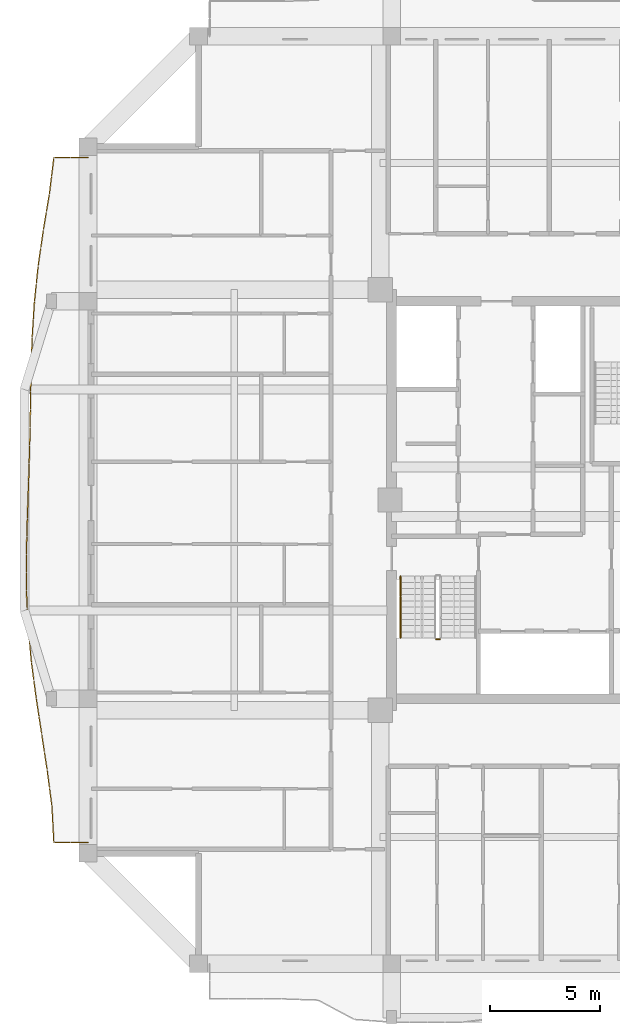
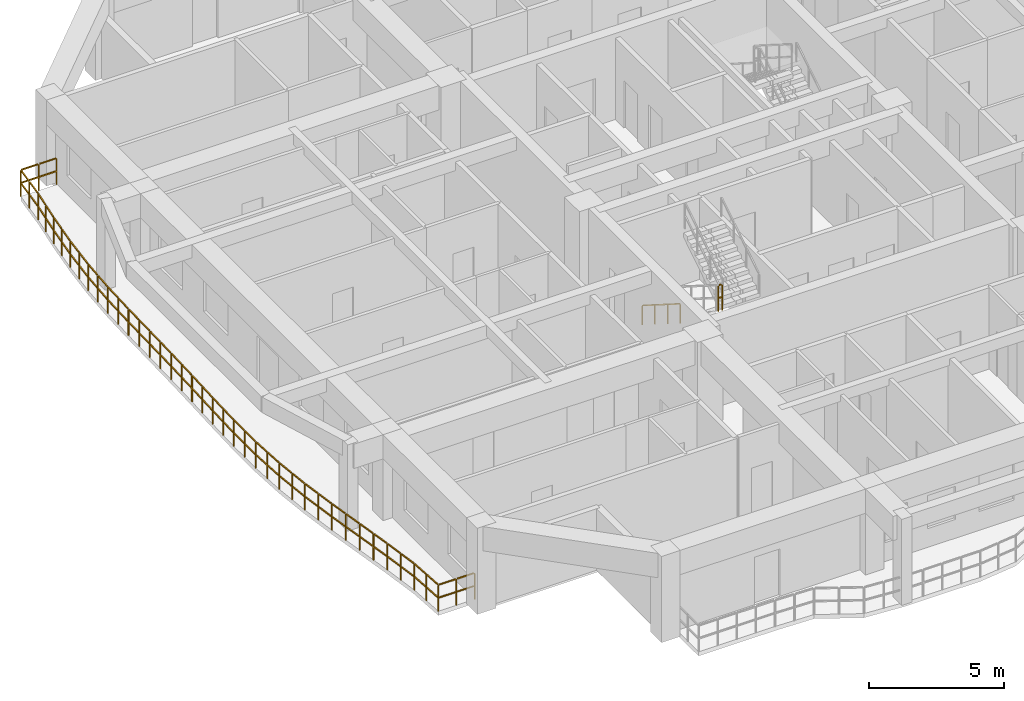
# One storey, part 11 of 14: 3 railings.
"""IFC4 building model written with IfcOpenShell, lengths in metres."""

from ifc_helpers import new_model, si_unit, direction, frame, origin, origin_2d, place, context, subcontext, project, spatial, rectangle, extrude, material, type_object, element, save


model = new_model("IFC4")

# Units and contexts
model_context = context("Model", 3, precision=1e-05, world=origin(), true_north=direction((0.0, 1.0)))
body_context = subcontext(model_context, "Body", "Model", "MODEL_VIEW")
ifc_project = project(units=[si_unit("LENGTHUNIT", "METRE"), si_unit("AREAUNIT", "SQUARE_METRE"), si_unit("VOLUMEUNIT", "CUBIC_METRE"), si_unit("PLANEANGLEUNIT", "RADIAN"), si_unit("MASSUNIT", "GRAM", prefix="KILO")], contexts=[model_context])

# Site, building, storey
site_placement = place(None, origin())
site = spatial("IfcSite", under=ifc_project, at=site_placement, CompositionType="ELEMENT")
building_placement = place(site_placement, origin())
building = spatial("IfcBuilding", under=site, at=building_placement, Name="Saelheon Loggia Tower", CompositionType="ELEMENT")
storey_placement = place(building_placement, frame((0.0, 0.0, 182.800048828125)))
storey = spatial("IfcBuildingStorey", under=building, at=storey_placement, Name="L57", CompositionType="ELEMENT", Elevation=182.800048828125)

# Railings
ifc_material_1 = material(Name="Architectural Precast Concrete and Laminated Glass Guard", Category="concrete")
railing_type_1 = type_object("IfcRailingType", Name="Guard_Loggia_RL_LOG", PredefinedType="BALUSTRADE", material=ifc_material_1)
railing_1_placement = place(storey_placement, frame((17.75, 42.5, 0.0)))
element("IfcRailing", 1, at=railing_1_placement, inside=storey, type_object=railing_type_1, Name="L57 West Loggia Balustrade", PredefinedType="BALUSTRADE", context=body_context, shape_type="SweptSolid", body=[
    extrude(rectangle(XDim=0.048095703125, YDim=0.048095703125, at=origin_2d()), frame((-0.033203125, 0.0, 1.19580078125), z_axis=(-1.0, 0.0, 0.0), x_axis=(0.0, -1.0, 0.0)), (0.0, 0.0, 1.0), 0.70849609375),
    extrude(rectangle(XDim=0.048095703125, YDim=0.048095703125, at=origin_2d()), frame((-0.033203125, 0.0, 0.60986328125), z_axis=(-1.0, 0.0, 0.0), x_axis=(0.0, -1.0, 0.0)), (0.0, 0.0, 1.0), 0.70849609375),
    extrude(rectangle(XDim=0.048095703125, YDim=0.048095703125, at=origin_2d()), frame((-0.808349609375, 0.0, 1.19580078125), z_axis=(-1.0, 0.0, 0.0), x_axis=(0.0, -1.0, 0.0)), (0.0, 0.0, 1.0), 0.70849609375),
    extrude(rectangle(XDim=0.048095703125, YDim=0.048095703125, at=origin_2d()), frame((-0.808349609375, 0.0, 0.60986328125), z_axis=(-1.0, 0.0, 0.0), x_axis=(0.0, -1.0, 0.0)), (0.0, 0.0, 1.0), 0.70849609375),
    extrude(rectangle(XDim=0.048095703125, YDim=0.048095703125, at=origin_2d()), frame((-1.55419921875, -0.032958984375, 1.19580078125), z_axis=(-0.121639737456, -0.99257431675, 0.0), x_axis=(0.99257431675, -0.121639737456, 0.0)), (0.0, 0.0, 1.0), 0.75537109375),
    extrude(rectangle(XDim=0.048095703125, YDim=0.048095703125, at=origin_2d()), frame((-1.55419921875, -0.032958984375, 0.60986328125), z_axis=(-0.121639737456, -0.99257431675, 0.0), x_axis=(0.99257431675, -0.121639737456, 0.0)), (0.0, 0.0, 1.0), 0.75537109375),
    extrude(rectangle(XDim=0.048095703125, YDim=0.048095703125, at=origin_2d()), frame((-1.654052734375, -0.848876953125, 1.19580078125), z_axis=(-0.121639737456, -0.99257431675, 0.0), x_axis=(0.99257431675, -0.121639737456, 0.0)), (0.0, 0.0, 1.0), 0.75537109375),
    extrude(rectangle(XDim=0.048095703125, YDim=0.048095703125, at=origin_2d()), frame((-1.654052734375, -0.848876953125, 0.60986328125), z_axis=(-0.121639737456, -0.99257431675, 0.0), x_axis=(0.99257431675, -0.121639737456, 0.0)), (0.0, 0.0, 1.0), 0.75537109375),
    extrude(rectangle(XDim=0.048095703125, YDim=0.048095703125, at=origin_2d()), frame((-1.755615234375, -1.664306640625, 1.19580078125), z_axis=(-0.166001960269, -0.986125422645, 0.0), x_axis=(0.986125422645, -0.166001960269, 0.0)), (0.0, 0.0, 1.0), 0.7607421875),
    extrude(rectangle(XDim=0.048095703125, YDim=0.048095703125, at=origin_2d()), frame((-1.755615234375, -1.664306640625, 0.60986328125), z_axis=(-0.166001960269, -0.986125422645, 0.0), x_axis=(0.986125422645, -0.166001960269, 0.0)), (0.0, 0.0, 1.0), 0.7607421875),
    extrude(rectangle(XDim=0.048095703125, YDim=0.048095703125, at=origin_2d()), frame((-1.892822265625, -2.480224609375, 1.19580078125), z_axis=(-0.166001960269, -0.986125422645, 0.0), x_axis=(0.986125422645, -0.166001960269, 0.0)), (0.0, 0.0, 1.0), 0.7607421875),
    extrude(rectangle(XDim=0.048095703125, YDim=0.048095703125, at=origin_2d()), frame((-1.892822265625, -2.480224609375, 0.60986328125), z_axis=(-0.166001960269, -0.986125422645, 0.0), x_axis=(0.986125422645, -0.166001960269, 0.0)), (0.0, 0.0, 1.0), 0.7607421875),
    extrude(rectangle(XDim=0.048095703125, YDim=0.048095703125, at=origin_2d()), frame((-2.029296875, -3.296142578125, 1.19580078125), z_axis=(-0.142478758225, -0.989797859896, 0.0), x_axis=(0.989797859896, -0.142478758225, 0.0)), (0.0, 0.0, 1.0), 0.7578125),
    extrude(rectangle(XDim=0.048095703125, YDim=0.048095703125, at=origin_2d()), frame((-2.029296875, -3.296142578125, 0.60986328125), z_axis=(-0.142478758225, -0.989797859896, 0.0), x_axis=(0.989797859896, -0.142478758225, 0.0)), (0.0, 0.0, 1.0), 0.7578125),
    extrude(rectangle(XDim=0.048095703125, YDim=0.048095703125, at=origin_2d()), frame((-2.146728515625, -4.11181640625, 1.19580078125), z_axis=(-0.142478758225, -0.989797859896, 0.0), x_axis=(0.989797859896, -0.142478758225, 0.0)), (0.0, 0.0, 1.0), 0.7578125),
    extrude(rectangle(XDim=0.048095703125, YDim=0.048095703125, at=origin_2d()), frame((-2.146728515625, -4.11181640625, 0.60986328125), z_axis=(-0.142478758225, -0.989797859896, 0.0), x_axis=(0.989797859896, -0.142478758225, 0.0)), (0.0, 0.0, 1.0), 0.7578125),
    extrude(rectangle(XDim=0.048095703125, YDim=0.048095703125, at=origin_2d()), frame((-2.262939453125, -4.927734375, 1.19580078125), z_axis=(-0.104173484774, -0.994559141062, 0.0), x_axis=(0.994559141062, -0.104173484774, 0.0)), (0.0, 0.0, 1.0), 0.75390625),
    extrude(rectangle(XDim=0.048095703125, YDim=0.048095703125, at=origin_2d()), frame((-2.262939453125, -4.927734375, 0.60986328125), z_axis=(-0.104173484774, -0.994559141062, 0.0), x_axis=(0.994559141062, -0.104173484774, 0.0)), (0.0, 0.0, 1.0), 0.75390625),
    extrude(rectangle(XDim=0.048095703125, YDim=0.048095703125, at=origin_2d()), frame((-2.348388671875, -5.74365234375, 1.19580078125), z_axis=(-0.104173484774, -0.994559141062, 0.0), x_axis=(0.994559141062, -0.104173484774, 0.0)), (0.0, 0.0, 1.0), 0.75390625),
    extrude(rectangle(XDim=0.048095703125, YDim=0.048095703125, at=origin_2d()), frame((-2.348388671875, -5.74365234375, 0.60986328125), z_axis=(-0.104173484774, -0.994559141062, 0.0), x_axis=(0.994559141062, -0.104173484774, 0.0)), (0.0, 0.0, 1.0), 0.75390625),
    extrude(rectangle(XDim=0.048095703125, YDim=0.048095703125, at=origin_2d()), frame((-2.4326171875, -6.5595703125, 1.19580078125), z_axis=(-0.063019778754, -0.998012278224, 0.0), x_axis=(0.998012278224, -0.063019778754, 0.0)), (0.0, 0.0, 1.0), 0.7509765625),
    extrude(rectangle(XDim=0.048095703125, YDim=0.048095703125, at=origin_2d()), frame((-2.4326171875, -6.5595703125, 0.60986328125), z_axis=(-0.063019778754, -0.998012278224, 0.0), x_axis=(0.998012278224, -0.063019778754, 0.0)), (0.0, 0.0, 1.0), 0.7509765625),
    extrude(rectangle(XDim=0.048095703125, YDim=0.048095703125, at=origin_2d()), frame((-2.484130859375, -7.375244140625, 1.19580078125), z_axis=(-0.063019778754, -0.998012278224, 0.0), x_axis=(0.998012278224, -0.063019778754, 0.0)), (0.0, 0.0, 1.0), 0.7509765625),
    extrude(rectangle(XDim=0.048095703125, YDim=0.048095703125, at=origin_2d()), frame((-2.484130859375, -7.375244140625, 0.60986328125), z_axis=(-0.063019778754, -0.998012278224, 0.0), x_axis=(0.998012278224, -0.063019778754, 0.0)), (0.0, 0.0, 1.0), 0.7509765625),
    extrude(rectangle(XDim=0.048095703125, YDim=0.048095703125, at=origin_2d()), frame((-2.534423828125, -8.191162109375, 1.19580078125), z_axis=(-0.031556922457, -0.999501956299, 0.0), x_axis=(0.999501956299, -0.031556922457, 0.0)), (0.0, 0.0, 1.0), 0.749755859375),
    extrude(rectangle(XDim=0.048095703125, YDim=0.048095703125, at=origin_2d()), frame((-2.534423828125, -8.191162109375, 0.60986328125), z_axis=(-0.031556922457, -0.999501956299, 0.0), x_axis=(0.999501956299, -0.031556922457, 0.0)), (0.0, 0.0, 1.0), 0.749755859375),
    extrude(rectangle(XDim=0.048095703125, YDim=0.048095703125, at=origin_2d()), frame((-2.560302734375, -9.007080078125, 1.19580078125), z_axis=(-0.031556922457, -0.999501956299, 0.0), x_axis=(0.999501956299, -0.031556922457, 0.0)), (0.0, 0.0, 1.0), 0.749755859375),
    extrude(rectangle(XDim=0.048095703125, YDim=0.048095703125, at=origin_2d()), frame((-2.560302734375, -9.007080078125, 0.60986328125), z_axis=(-0.031556922457, -0.999501956299, 0.0), x_axis=(0.999501956299, -0.031556922457, 0.0)), (0.0, 0.0, 1.0), 0.749755859375),
    extrude(rectangle(XDim=0.048095703125, YDim=0.048095703125, at=origin_2d()), frame((-2.58544921875, -9.82275390625, 1.19580078125), z_axis=(-0.016906157432, -0.999857080707, 0.0), x_axis=(0.999857080707, -0.016906157432, 0.0)), (0.0, 0.0, 1.0), 0.74951171875),
    extrude(rectangle(XDim=0.048095703125, YDim=0.048095703125, at=origin_2d()), frame((-2.58544921875, -9.82275390625, 0.60986328125), z_axis=(-0.016906157432, -0.999857080707, 0.0), x_axis=(0.999857080707, -0.016906157432, 0.0)), (0.0, 0.0, 1.0), 0.74951171875),
    extrude(rectangle(XDim=0.048095703125, YDim=0.048095703125, at=origin_2d()), frame((-2.599365234375, -10.638671875, 1.19580078125), z_axis=(-0.016906157432, -0.999857080707, 0.0), x_axis=(0.999857080707, -0.016906157432, 0.0)), (0.0, 0.0, 1.0), 0.74951171875),
    extrude(rectangle(XDim=0.048095703125, YDim=0.048095703125, at=origin_2d()), frame((-2.599365234375, -10.638671875, 0.60986328125), z_axis=(-0.016906157432, -0.999857080707, 0.0), x_axis=(0.999857080707, -0.016906157432, 0.0)), (0.0, 0.0, 1.0), 0.74951171875),
    extrude(rectangle(XDim=0.048095703125, YDim=0.048095703125, at=origin_2d()), frame((-2.61328125, -11.454345703125, 1.19580078125), z_axis=(-0.018853278196, -0.999822261155, 0.0), x_axis=(0.999822261155, -0.018853278196, 0.0)), (0.0, 0.0, 1.0), 0.749267578125),
    extrude(rectangle(XDim=0.048095703125, YDim=0.048095703125, at=origin_2d()), frame((-2.61328125, -11.454345703125, 0.60986328125), z_axis=(-0.018853278196, -0.999822261155, 0.0), x_axis=(0.999822261155, -0.018853278196, 0.0)), (0.0, 0.0, 1.0), 0.749267578125),
    extrude(rectangle(XDim=0.048095703125, YDim=0.048095703125, at=origin_2d()), frame((-2.628662109375, -12.27001953125, 1.19580078125), z_axis=(-0.018853278196, -0.999822261155, 0.0), x_axis=(0.999822261155, -0.018853278196, 0.0)), (0.0, 0.0, 1.0), 0.749267578125),
    extrude(rectangle(XDim=0.048095703125, YDim=0.048095703125, at=origin_2d()), frame((-2.628662109375, -12.27001953125, 0.60986328125), z_axis=(-0.018853278196, -0.999822261155, 0.0), x_axis=(0.999822261155, -0.018853278196, 0.0)), (0.0, 0.0, 1.0), 0.749267578125),
    extrude(rectangle(XDim=0.048095703125, YDim=0.048095703125, at=origin_2d()), frame((-2.644287109375, -13.085693359375, 1.19580078125), z_axis=(-0.028717763208, -0.999587559985, 0.0), x_axis=(0.999587559985, -0.028717763208, 0.0)), (0.0, 0.0, 1.0), 0.749755859375),
    extrude(rectangle(XDim=0.048095703125, YDim=0.048095703125, at=origin_2d()), frame((-2.644287109375, -13.085693359375, 0.60986328125), z_axis=(-0.028717763208, -0.999587559985, 0.0), x_axis=(0.999587559985, -0.028717763208, 0.0)), (0.0, 0.0, 1.0), 0.749755859375),
    extrude(rectangle(XDim=0.048095703125, YDim=0.048095703125, at=origin_2d()), frame((-2.667724609375, -13.901611328125, 1.19580078125), z_axis=(-0.028717763208, -0.999587559985, 0.0), x_axis=(0.999587559985, -0.028717763208, 0.0)), (0.0, 0.0, 1.0), 0.749755859375),
    extrude(rectangle(XDim=0.048095703125, YDim=0.048095703125, at=origin_2d()), frame((-2.667724609375, -13.901611328125, 0.60986328125), z_axis=(-0.028717763208, -0.999587559985, 0.0), x_axis=(0.999587559985, -0.028717763208, 0.0)), (0.0, 0.0, 1.0), 0.749755859375),
    extrude(rectangle(XDim=0.048095703125, YDim=0.048095703125, at=origin_2d()), frame((-2.69140625, -14.71728515625, 1.19580078125), z_axis=(-0.034987542363, -0.999387748514, 0.0), x_axis=(0.999387748514, -0.034987542363, 0.0)), (0.0, 0.0, 1.0), 0.75),
    extrude(rectangle(XDim=0.048095703125, YDim=0.048095703125, at=origin_2d()), frame((-2.69140625, -14.71728515625, 0.60986328125), z_axis=(-0.034987542363, -0.999387748514, 0.0), x_axis=(0.999387748514, -0.034987542363, 0.0)), (0.0, 0.0, 1.0), 0.75),
    extrude(rectangle(XDim=0.048095703125, YDim=0.048095703125, at=origin_2d()), frame((-2.719970703125, -15.533203125, 1.19580078125), z_axis=(-0.034987542363, -0.999387748514, 0.0), x_axis=(0.999387748514, -0.034987542363, 0.0)), (0.0, 0.0, 1.0), 0.75),
    extrude(rectangle(XDim=0.048095703125, YDim=0.048095703125, at=origin_2d()), frame((-2.719970703125, -15.533203125, 0.60986328125), z_axis=(-0.034987542363, -0.999387748514, 0.0), x_axis=(0.999387748514, -0.034987542363, 0.0)), (0.0, 0.0, 1.0), 0.75),
    extrude(rectangle(XDim=0.048095703125, YDim=0.048095703125, at=origin_2d()), frame((-2.748291015625, -16.34912109375, 1.19580078125), z_axis=(-0.026326350244, -0.999653401576, 0.0), x_axis=(0.999653401576, -0.026326350244, 0.0)), (0.0, 0.0, 1.0), 0.74951171875),
    extrude(rectangle(XDim=0.048095703125, YDim=0.048095703125, at=origin_2d()), frame((-2.748291015625, -16.34912109375, 0.60986328125), z_axis=(-0.026326350244, -0.999653401576, 0.0), x_axis=(0.999653401576, -0.026326350244, 0.0)), (0.0, 0.0, 1.0), 0.74951171875),
    extrude(rectangle(XDim=0.048095703125, YDim=0.048095703125, at=origin_2d()), frame((-2.769775390625, -17.1650390625, 1.19580078125), z_axis=(-0.026326350244, -0.999653401576, 0.0), x_axis=(0.999653401576, -0.026326350244, 0.0)), (0.0, 0.0, 1.0), 0.74951171875),
    extrude(rectangle(XDim=0.048095703125, YDim=0.048095703125, at=origin_2d()), frame((-2.769775390625, -17.1650390625, 0.60986328125), z_axis=(-0.026326350244, -0.999653401576, 0.0), x_axis=(0.999653401576, -0.026326350244, 0.0)), (0.0, 0.0, 1.0), 0.74951171875),
    extrude(rectangle(XDim=0.048095703125, YDim=0.048095703125, at=origin_2d()), frame((-2.790283203125, -17.980712890625, 1.19580078125), z_axis=(0.001047589967, -0.999999451277, 0.0), x_axis=(0.999999451277, 0.001047589967, 0.0)), (0.0, 0.0, 1.0), 0.749267578125),
    extrude(rectangle(XDim=0.048095703125, YDim=0.048095703125, at=origin_2d()), frame((-2.790283203125, -17.980712890625, 0.60986328125), z_axis=(0.001047589967, -0.999999451277, 0.0), x_axis=(0.999999451277, 0.001047589967, 0.0)), (0.0, 0.0, 1.0), 0.749267578125),
    extrude(rectangle(XDim=0.048095703125, YDim=0.048095703125, at=origin_2d()), frame((-2.789306640625, -18.79638671875, 1.19580078125), z_axis=(0.001047589967, -0.999999451277, 0.0), x_axis=(0.999999451277, 0.001047589967, 0.0)), (0.0, 0.0, 1.0), 0.749267578125),
    extrude(rectangle(XDim=0.048095703125, YDim=0.048095703125, at=origin_2d()), frame((-2.789306640625, -18.79638671875, 0.60986328125), z_axis=(0.001047589967, -0.999999451277, 0.0), x_axis=(0.999999451277, 0.001047589967, 0.0)), (0.0, 0.0, 1.0), 0.749267578125),
    extrude(rectangle(XDim=0.048095703125, YDim=0.048095703125, at=origin_2d()), frame((-2.787109375, -19.612060546875, 1.19580078125), z_axis=(0.04424810558, -0.999020572938, 0.0), x_axis=(0.999020572938, 0.04424810558, 0.0)), (0.0, 0.0, 1.0), 0.750244140625),
    extrude(rectangle(XDim=0.048095703125, YDim=0.048095703125, at=origin_2d()), frame((-2.787109375, -19.612060546875, 0.60986328125), z_axis=(0.04424810558, -0.999020572938, 0.0), x_axis=(0.999020572938, 0.04424810558, 0.0)), (0.0, 0.0, 1.0), 0.750244140625),
    extrude(rectangle(XDim=0.048095703125, YDim=0.048095703125, at=origin_2d()), frame((-2.7509765625, -20.427734375, 1.19580078125), z_axis=(0.04424810558, -0.999020572938, 0.0), x_axis=(0.999020572938, 0.04424810558, 0.0)), (0.0, 0.0, 1.0), 0.750244140625),
    extrude(rectangle(XDim=0.048095703125, YDim=0.048095703125, at=origin_2d()), frame((-2.7509765625, -20.427734375, 0.60986328125), z_axis=(0.04424810558, -0.999020572938, 0.0), x_axis=(0.999020572938, 0.04424810558, 0.0)), (0.0, 0.0, 1.0), 0.750244140625),
    extrude(rectangle(XDim=0.048095703125, YDim=0.048095703125, at=origin_2d()), frame((-2.71337890625, -21.24365234375, 1.19580078125), z_axis=(0.091785091288, -0.99577883941, 0.0), x_axis=(0.99577883941, 0.091785091288, 0.0)), (0.0, 0.0, 1.0), 0.752685546875),
    extrude(rectangle(XDim=0.048095703125, YDim=0.048095703125, at=origin_2d()), frame((-2.71337890625, -21.24365234375, 0.60986328125), z_axis=(0.091785091288, -0.99577883941, 0.0), x_axis=(0.99577883941, 0.091785091288, 0.0)), (0.0, 0.0, 1.0), 0.752685546875),
    extrude(rectangle(XDim=0.048095703125, YDim=0.048095703125, at=origin_2d()), frame((-2.63818359375, -22.059326171875, 1.19580078125), z_axis=(0.091785091288, -0.99577883941, 0.0), x_axis=(0.99577883941, 0.091785091288, 0.0)), (0.0, 0.0, 1.0), 0.752685546875),
    extrude(rectangle(XDim=0.048095703125, YDim=0.048095703125, at=origin_2d()), frame((-2.63818359375, -22.059326171875, 0.60986328125), z_axis=(0.091785091288, -0.99577883941, 0.0), x_axis=(0.99577883941, 0.091785091288, 0.0)), (0.0, 0.0, 1.0), 0.752685546875),
    extrude(rectangle(XDim=0.048095703125, YDim=0.048095703125, at=origin_2d()), frame((-2.5615234375, -22.875, 1.19580078125), z_axis=(0.131133680986, -0.991364694606, 0.0), x_axis=(0.991364694606, 0.131133680986, 0.0)), (0.0, 0.0, 1.0), 0.75634765625),
    extrude(rectangle(XDim=0.048095703125, YDim=0.048095703125, at=origin_2d()), frame((-2.5615234375, -22.875, 0.60986328125), z_axis=(0.131133680986, -0.991364694606, 0.0), x_axis=(0.991364694606, 0.131133680986, 0.0)), (0.0, 0.0, 1.0), 0.75634765625),
    extrude(rectangle(XDim=0.048095703125, YDim=0.048095703125, at=origin_2d()), frame((-2.45361328125, -23.690673828125, 1.19580078125), z_axis=(0.131133680986, -0.991364694606, 0.0), x_axis=(0.991364694606, 0.131133680986, 0.0)), (0.0, 0.0, 1.0), 0.75634765625),
    extrude(rectangle(XDim=0.048095703125, YDim=0.048095703125, at=origin_2d()), frame((-2.45361328125, -23.690673828125, 0.60986328125), z_axis=(0.131133680986, -0.991364694606, 0.0), x_axis=(0.991364694606, 0.131133680986, 0.0)), (0.0, 0.0, 1.0), 0.75634765625),
    extrude(rectangle(XDim=0.048095703125, YDim=0.048095703125, at=origin_2d()), frame((-2.344970703125, -24.506591796875, 1.19580078125), z_axis=(0.151601487322, -0.988441697341, 0.0), x_axis=(0.988441697341, 0.151601487322, 0.0)), (0.0, 0.0, 1.0), 0.7587890625),
    extrude(rectangle(XDim=0.048095703125, YDim=0.048095703125, at=origin_2d()), frame((-2.344970703125, -24.506591796875, 0.60986328125), z_axis=(0.151601487322, -0.988441697341, 0.0), x_axis=(0.988441697341, 0.151601487322, 0.0)), (0.0, 0.0, 1.0), 0.7587890625),
    extrude(rectangle(XDim=0.048095703125, YDim=0.048095703125, at=origin_2d()), frame((-2.219970703125, -25.322265625, 1.19580078125), z_axis=(0.151601487322, -0.988441697341, 0.0), x_axis=(0.988441697341, 0.151601487322, 0.0)), (0.0, 0.0, 1.0), 0.7587890625),
    extrude(rectangle(XDim=0.048095703125, YDim=0.048095703125, at=origin_2d()), frame((-2.219970703125, -25.322265625, 0.60986328125), z_axis=(0.151601487322, -0.988441697341, 0.0), x_axis=(0.988441697341, 0.151601487322, 0.0)), (0.0, 0.0, 1.0), 0.7587890625),
    extrude(rectangle(XDim=0.048095703125, YDim=0.048095703125, at=origin_2d()), frame((-2.094970703125, -26.13818359375, 1.19580078125), z_axis=(0.150011350352, -0.988684274562, 0.0), x_axis=(0.988684274562, 0.150011350352, 0.0)), (0.0, 0.0, 1.0), 0.758544921875),
    extrude(rectangle(XDim=0.048095703125, YDim=0.048095703125, at=origin_2d()), frame((-2.094970703125, -26.13818359375, 0.60986328125), z_axis=(0.150011350352, -0.988684274562, 0.0), x_axis=(0.988684274562, 0.150011350352, 0.0)), (0.0, 0.0, 1.0), 0.758544921875),
    extrude(rectangle(XDim=0.048095703125, YDim=0.048095703125, at=origin_2d()), frame((-1.97119140625, -26.953857421875, 1.19580078125), z_axis=(0.150011350352, -0.988684274562, 0.0), x_axis=(0.988684274562, 0.150011350352, 0.0)), (0.0, 0.0, 1.0), 0.758544921875),
    extrude(rectangle(XDim=0.048095703125, YDim=0.048095703125, at=origin_2d()), frame((-1.97119140625, -26.953857421875, 0.60986328125), z_axis=(0.150011350352, -0.988684274562, 0.0), x_axis=(0.988684274562, 0.150011350352, 0.0)), (0.0, 0.0, 1.0), 0.758544921875),
    extrude(rectangle(XDim=0.048095703125, YDim=0.048095703125, at=origin_2d()), frame((-1.847900390625, -27.769775390625, 1.19580078125), z_axis=(0.130987886348, -0.991383968818, 0.0), x_axis=(0.991383968818, 0.130987886348, 0.0)), (0.0, 0.0, 1.0), 0.75634765625),
    extrude(rectangle(XDim=0.048095703125, YDim=0.048095703125, at=origin_2d()), frame((-1.847900390625, -27.769775390625, 0.60986328125), z_axis=(0.130987886348, -0.991383968818, 0.0), x_axis=(0.991383968818, 0.130987886348, 0.0)), (0.0, 0.0, 1.0), 0.75634765625),
    extrude(rectangle(XDim=0.048095703125, YDim=0.048095703125, at=origin_2d()), frame((-1.740234375, -28.58544921875, 1.19580078125), z_axis=(0.130987886348, -0.991383968818, 0.0), x_axis=(0.991383968818, 0.130987886348, 0.0)), (0.0, 0.0, 1.0), 0.75634765625),
    extrude(rectangle(XDim=0.048095703125, YDim=0.048095703125, at=origin_2d()), frame((-1.740234375, -28.58544921875, 0.60986328125), z_axis=(0.130987886348, -0.991383968818, 0.0), x_axis=(0.991383968818, 0.130987886348, 0.0)), (0.0, 0.0, 1.0), 0.75634765625),
    extrude(rectangle(XDim=0.048095703125, YDim=0.048095703125, at=origin_2d()), frame((-1.635009765625, -29.401611328125, 1.19580078125), z_axis=(0.053045069927, -0.998592119214, 0.0), x_axis=(0.998592119214, 0.053045069927, 0.0)), (0.0, 0.0, 1.0), 0.75048828125),
    extrude(rectangle(XDim=0.048095703125, YDim=0.048095703125, at=origin_2d()), frame((-1.635009765625, -29.401611328125, 0.60986328125), z_axis=(0.053045069927, -0.998592119214, 0.0), x_axis=(0.998592119214, 0.053045069927, 0.0)), (0.0, 0.0, 1.0), 0.75048828125),
    extrude(rectangle(XDim=0.048095703125, YDim=0.048095703125, at=origin_2d()), frame((-1.591552734375, -30.21728515625, 1.19580078125), z_axis=(0.053045069927, -0.998592119214, 0.0), x_axis=(0.998592119214, 0.053045069927, 0.0)), (0.0, 0.0, 1.0), 0.75048828125),
    extrude(rectangle(XDim=0.048095703125, YDim=0.048095703125, at=origin_2d()), frame((-1.591552734375, -30.21728515625, 0.60986328125), z_axis=(0.053045069927, -0.998592119214, 0.0), x_axis=(0.998592119214, 0.053045069927, 0.0)), (0.0, 0.0, 1.0), 0.75048828125),
    extrude(rectangle(XDim=0.048095703125, YDim=0.048095703125, at=origin_2d()), frame((-1.516845703125, -31.0, 1.19580078125), z_axis=(1.0, 0.0, 0.0), x_axis=(0.0, 1.0, 0.0)), (0.0, 0.0, 1.0), 0.70849609375),
    extrude(rectangle(XDim=0.048095703125, YDim=0.048095703125, at=origin_2d()), frame((-1.516845703125, -31.0, 0.60986328125), z_axis=(1.0, 0.0, 0.0), x_axis=(0.0, 1.0, 0.0)), (0.0, 0.0, 1.0), 0.70849609375),
    extrude(rectangle(XDim=0.048095703125, YDim=0.048095703125, at=origin_2d()), frame((-0.74169921875, -31.0, 1.19580078125), z_axis=(1.0, 0.0, 0.0), x_axis=(0.0, 1.0, 0.0)), (0.0, 0.0, 1.0), 0.70849609375),
    extrude(rectangle(XDim=0.048095703125, YDim=0.048095703125, at=origin_2d()), frame((-0.74169921875, -31.0, 0.60986328125), z_axis=(1.0, 0.0, 0.0), x_axis=(0.0, 1.0, 0.0)), (0.0, 0.0, 1.0), 0.70849609375),
    extrude(rectangle(XDim=0.0419921875, YDim=0.0419921875, at=origin_2d()), origin(), (0.0, 0.0, 1.0), 1.16796875),
    extrude(rectangle(XDim=0.0419921875, YDim=0.0419921875, at=origin_2d()), frame((-0.77490234375, 0.0, 0.0)), (0.0, 0.0, 1.0), 1.16796875),
    extrude(rectangle(XDim=0.0419921875, YDim=0.0419921875, at=origin_2d()), frame((-1.550048828125, 0.0, 0.0)), (0.0, 0.0, 1.0), 1.16796875),
    extrude(rectangle(XDim=0.0419921875, YDim=0.0419921875, at=origin_2d()), frame((-1.64990234375, -0.81591796875, 0.0)), (0.0, 0.0, 1.0), 1.16796875),
    extrude(rectangle(XDim=0.0419921875, YDim=0.0419921875, at=origin_2d()), frame((-1.75, -1.631591796875, 0.0)), (0.0, 0.0, 1.0), 1.16796875),
    extrude(rectangle(XDim=0.0419921875, YDim=0.0419921875, at=origin_2d()), frame((-1.88720703125, -2.447265625, 0.0)), (0.0, 0.0, 1.0), 1.16796875),
    extrude(rectangle(XDim=0.0419921875, YDim=0.0419921875, at=origin_2d()), frame((-2.024658203125, -3.26318359375, 0.0)), (0.0, 0.0, 1.0), 1.16796875),
    extrude(rectangle(XDim=0.0419921875, YDim=0.0419921875, at=origin_2d()), frame((-2.14208984375, -4.0791015625, 0.0)), (0.0, 0.0, 1.0), 1.16796875),
    extrude(rectangle(XDim=0.0419921875, YDim=0.0419921875, at=origin_2d()), frame((-2.259521484375, -4.894775390625, 0.0)), (0.0, 0.0, 1.0), 1.16796875),
    extrude(rectangle(XDim=0.0419921875, YDim=0.0419921875, at=origin_2d()), frame((-2.344970703125, -5.71044921875, 0.0)), (0.0, 0.0, 1.0), 1.16796875),
    extrude(rectangle(XDim=0.0419921875, YDim=0.0419921875, at=origin_2d()), frame((-2.430419921875, -6.5263671875, 0.0)), (0.0, 0.0, 1.0), 1.16796875),
    extrude(rectangle(XDim=0.0419921875, YDim=0.0419921875, at=origin_2d()), frame((-2.48193359375, -7.34228515625, 0.0)), (0.0, 0.0, 1.0), 1.16796875),
    extrude(rectangle(XDim=0.0419921875, YDim=0.0419921875, at=origin_2d()), frame((-2.533447265625, -8.157958984375, 0.0)), (0.0, 0.0, 1.0), 1.16796875),
    extrude(rectangle(XDim=0.0419921875, YDim=0.0419921875, at=origin_2d()), frame((-2.55908203125, -8.9736328125, 0.0)), (0.0, 0.0, 1.0), 1.16796875),
    extrude(rectangle(XDim=0.0419921875, YDim=0.0419921875, at=origin_2d()), frame((-2.5849609375, -9.78955078125, 0.0)), (0.0, 0.0, 1.0), 1.16796875),
    extrude(rectangle(XDim=0.0419921875, YDim=0.0419921875, at=origin_2d()), frame((-2.5986328125, -10.60546875, 0.0)), (0.0, 0.0, 1.0), 1.16796875),
    extrude(rectangle(XDim=0.0419921875, YDim=0.0419921875, at=origin_2d()), frame((-2.612548828125, -11.421142578125, 0.0)), (0.0, 0.0, 1.0), 1.16796875),
    extrude(rectangle(XDim=0.0419921875, YDim=0.0419921875, at=origin_2d()), frame((-2.6279296875, -12.23681640625, 0.0)), (0.0, 0.0, 1.0), 1.16796875),
    extrude(rectangle(XDim=0.0419921875, YDim=0.0419921875, at=origin_2d()), frame((-2.643310546875, -13.052490234375, 0.0)), (0.0, 0.0, 1.0), 1.16796875),
    extrude(rectangle(XDim=0.0419921875, YDim=0.0419921875, at=origin_2d()), frame((-2.666748046875, -13.8681640625, 0.0)), (0.0, 0.0, 1.0), 1.16796875),
    extrude(rectangle(XDim=0.0419921875, YDim=0.0419921875, at=origin_2d()), frame((-2.690185546875, -14.68408203125, 0.0)), (0.0, 0.0, 1.0), 1.16796875),
    extrude(rectangle(XDim=0.0419921875, YDim=0.0419921875, at=origin_2d()), frame((-2.71875, -15.5, 0.0)), (0.0, 0.0, 1.0), 1.16796875),
    extrude(rectangle(XDim=0.0419921875, YDim=0.0419921875, at=origin_2d()), frame((-2.747314453125, -16.31591796875, 0.0)), (0.0, 0.0, 1.0), 1.16796875),
    extrude(rectangle(XDim=0.0419921875, YDim=0.0419921875, at=origin_2d()), frame((-2.768798828125, -17.1318359375, 0.0)), (0.0, 0.0, 1.0), 1.16796875),
    extrude(rectangle(XDim=0.0419921875, YDim=0.0419921875, at=origin_2d()), frame((-2.790283203125, -17.947509765625, 0.0)), (0.0, 0.0, 1.0), 1.16796875),
    extrude(rectangle(XDim=0.0419921875, YDim=0.0419921875, at=origin_2d()), frame((-2.78955078125, -18.76318359375, 0.0)), (0.0, 0.0, 1.0), 1.16796875),
    extrude(rectangle(XDim=0.0419921875, YDim=0.0419921875, at=origin_2d()), frame((-2.78857421875, -19.578857421875, 0.0)), (0.0, 0.0, 1.0), 1.16796875),
    extrude(rectangle(XDim=0.0419921875, YDim=0.0419921875, at=origin_2d()), frame((-2.75244140625, -20.39453125, 0.0)), (0.0, 0.0, 1.0), 1.16796875),
    extrude(rectangle(XDim=0.0419921875, YDim=0.0419921875, at=origin_2d()), frame((-2.71630859375, -21.21044921875, 0.0)), (0.0, 0.0, 1.0), 1.16796875),
    extrude(rectangle(XDim=0.0419921875, YDim=0.0419921875, at=origin_2d()), frame((-2.64111328125, -22.0263671875, 0.0)), (0.0, 0.0, 1.0), 1.16796875),
    extrude(rectangle(XDim=0.0419921875, YDim=0.0419921875, at=origin_2d()), frame((-2.56591796875, -22.842041015625, 0.0)), (0.0, 0.0, 1.0), 1.16796875),
    extrude(rectangle(XDim=0.0419921875, YDim=0.0419921875, at=origin_2d()), frame((-2.4580078125, -23.65771484375, 0.0)), (0.0, 0.0, 1.0), 1.16796875),
    extrude(rectangle(XDim=0.0419921875, YDim=0.0419921875, at=origin_2d()), frame((-2.35009765625, -24.4736328125, 0.0)), (0.0, 0.0, 1.0), 1.16796875),
    extrude(rectangle(XDim=0.0419921875, YDim=0.0419921875, at=origin_2d()), frame((-2.22509765625, -25.28955078125, 0.0)), (0.0, 0.0, 1.0), 1.16796875),
    extrude(rectangle(XDim=0.0419921875, YDim=0.0419921875, at=origin_2d()), frame((-2.099853515625, -26.105224609375, 0.0)), (0.0, 0.0, 1.0), 1.16796875),
    extrude(rectangle(XDim=0.0419921875, YDim=0.0419921875, at=origin_2d()), frame((-1.97607421875, -26.9208984375, 0.0)), (0.0, 0.0, 1.0), 1.16796875),
    extrude(rectangle(XDim=0.0419921875, YDim=0.0419921875, at=origin_2d()), frame((-1.852294921875, -27.73681640625, 0.0)), (0.0, 0.0, 1.0), 1.16796875),
    extrude(rectangle(XDim=0.0419921875, YDim=0.0419921875, at=origin_2d()), frame((-1.74462890625, -28.552734375, 0.0)), (0.0, 0.0, 1.0), 1.16796875),
    extrude(rectangle(XDim=0.0419921875, YDim=0.0419921875, at=origin_2d()), frame((-1.63671875, -29.368408203125, 0.0)), (0.0, 0.0, 1.0), 1.16796875),
    extrude(rectangle(XDim=0.0419921875, YDim=0.0419921875, at=origin_2d()), frame((-1.59326171875, -30.18408203125, 0.0)), (0.0, 0.0, 1.0), 1.16796875),
    extrude(rectangle(XDim=0.0419921875, YDim=0.0419921875, at=origin_2d()), frame((-1.550048828125, -31.0, 0.0)), (0.0, 0.0, 1.0), 1.16796875),
    extrude(rectangle(XDim=0.0419921875, YDim=0.0419921875, at=origin_2d()), frame((-0.77490234375, -31.0, 0.0)), (0.0, 0.0, 1.0), 1.16796875),
    extrude(rectangle(XDim=0.0419921875, YDim=0.0419921875, at=origin_2d()), frame((0.0, -31.0, 0.0)), (0.0, 0.0, 1.0), 1.16796875),
])
ifc_material_2 = material(Name="Galvanised Steel S275 Stairwell Guardrail", Category="steel")
railing_type_2 = type_object("IfcRailingType", Name="Guard_StairWell_RL_STG", PredefinedType="GUARDRAIL", material=ifc_material_2)
railing_2_placement = place(storey_placement, frame((33.510009765625, 20.699951171875, 1.949951171875)))
element("IfcRailing", 2, at=railing_2_placement, inside=storey, type_object=railing_type_2, Name="L57 ST1 stair guard 2", PredefinedType="GUARDRAIL", context=body_context, shape_type="SweptSolid", body=[
    extrude(rectangle(XDim=0.048095703125, YDim=0.048095703125, at=origin_2d()), frame((0.033203125, 0.0, 1.17578125), z_axis=(1.0, 0.0, 0.0), x_axis=(0.0, 1.0, 0.0)), (0.0, 0.0, 1.0), 0.093505859375),
    extrude(rectangle(XDim=0.048095703125, YDim=0.048095703125, at=origin_2d()), frame((0.033203125, 0.0, 0.60009765625), z_axis=(1.0, 0.0, 0.0), x_axis=(0.0, 1.0, 0.0)), (0.0, 0.0, 1.0), 0.093505859375),
    extrude(rectangle(XDim=0.0419921875, YDim=0.0419921875, at=origin_2d()), origin(), (0.0, 0.0, 1.0), 1.14794921875),
    extrude(rectangle(XDim=0.0419921875, YDim=0.0419921875, at=origin_2d()), frame((0.159912109375, 0.0, 0.0)), (0.0, 0.0, 1.0), 1.14794921875),
])
ifc_material_3 = material(Name="Stainless Steel 304 Tubular Handrail", Category="steel")
railing_type_3 = type_object("IfcRailingType", Name="Handrail_Stair_RL_HR1", PredefinedType="HANDRAIL", material=ifc_material_3)
railing_3_placement = place(storey_placement, frame((31.89990234375, 23.550048828125, 0.17724609375)))
element("IfcRailing", 3, at=railing_3_placement, inside=storey, type_object=railing_type_3, Name="L57 ST1 stair handrail 1", PredefinedType="HANDRAIL", context=body_context, shape_type="SweptSolid", body=[
    extrude(rectangle(XDim=0.048095703125, YDim=0.048095703125, at=origin_2d()), frame((0.0, -0.028076171875, 0.8935546875), z_axis=(0.0, -0.844908973607, 0.534910110503), x_axis=(1.0, 0.0, 0.0)), (0.0, 0.0, 1.0), 1.0380859375),
    extrude(rectangle(XDim=0.048095703125, YDim=0.048095703125, at=origin_2d()), frame((0.0, -0.96142578125, 1.484619140625), z_axis=(0.0, -0.844908973607, 0.534910110503), x_axis=(1.0, 0.0, 0.0)), (0.0, 0.0, 1.0), 1.0380859375),
    extrude(rectangle(XDim=0.048095703125, YDim=0.048095703125, at=origin_2d()), frame((0.0, -1.894775390625, 2.075439453125), z_axis=(0.0, -0.844908973607, 0.534910110503), x_axis=(1.0, 0.0, 0.0)), (0.0, 0.0, 1.0), 1.0380859375),
    extrude(rectangle(XDim=0.0419921875, YDim=0.0419921875, at=origin_2d()), origin(), (0.0, 0.0, 1.0), 0.847900390625),
    extrude(rectangle(XDim=0.0419921875, YDim=0.0419921875, at=origin_2d()), frame((0.0, -0.933349609375, 0.5908203125)), (0.0, 0.0, 1.0), 0.847900390625),
    extrude(rectangle(XDim=0.0419921875, YDim=0.0419921875, at=origin_2d()), frame((0.0, -1.86669921875, 1.181884765625)), (0.0, 0.0, 1.0), 0.847900390625),
    extrude(rectangle(XDim=0.0419921875, YDim=0.0419921875, at=origin_2d()), frame((0.0, -2.800048828125, 1.772705078125)), (0.0, 0.0, 1.0), 0.847900390625),
])

save(model, "model.ifc")
